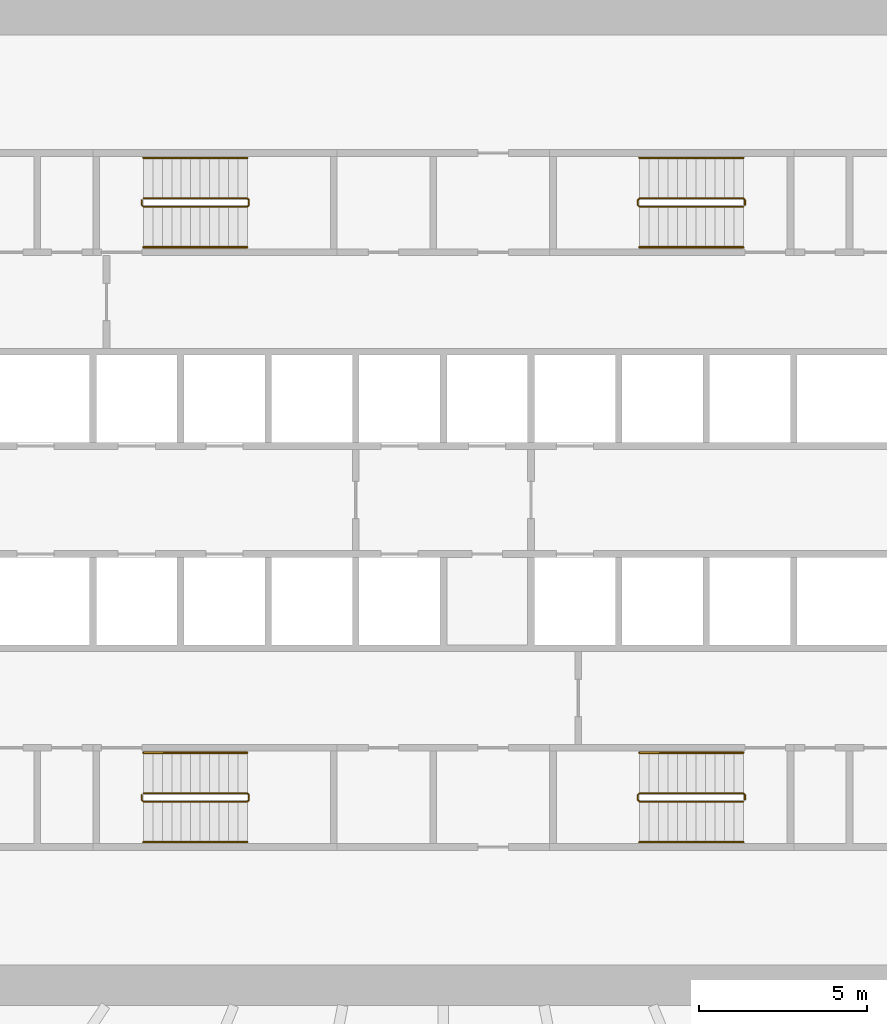
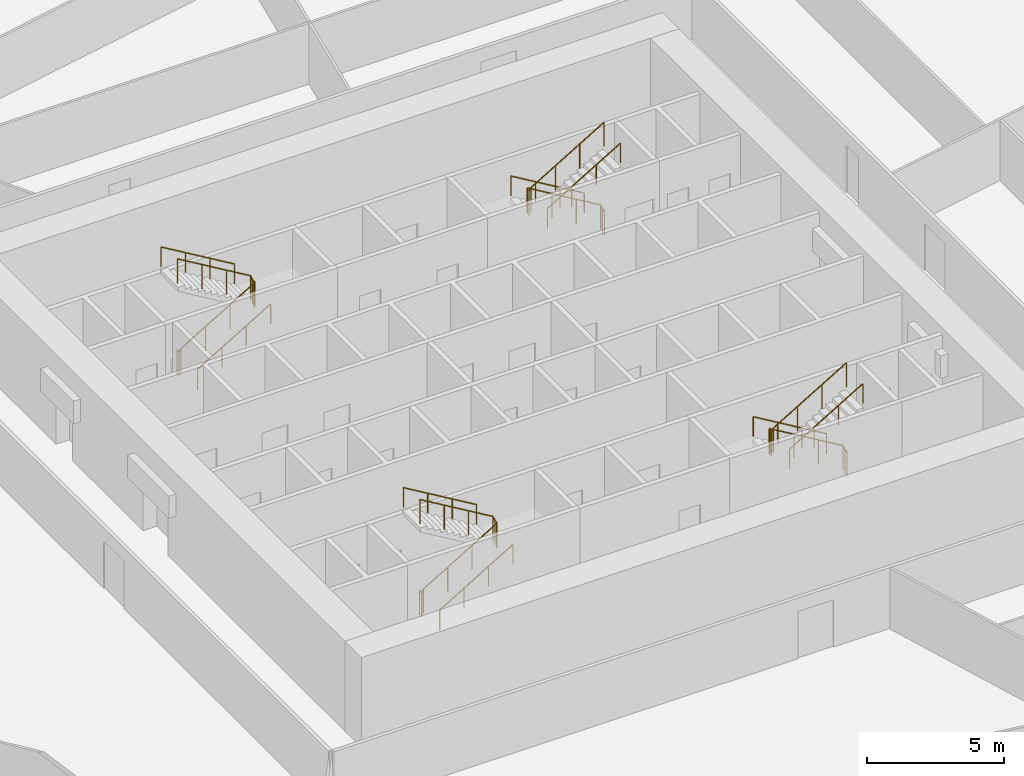
# One storey, part 15 of 15: 12 railings.
"""IFC4 building model written with IfcOpenShell, lengths in metres."""

from ifc_helpers import new_model, si_unit, direction, frame, origin, origin_2d, place, context, subcontext, project, spatial, circle, extrude, material, type_object, element, save


model = new_model("IFC4")

# Units and contexts
model_context = context("Model", 3, precision=1e-05, world=origin(), true_north=direction((0.0, 1.0)))
body_context = subcontext(model_context, "Body", "Model", "MODEL_VIEW")
ifc_project = project(units=[si_unit("LENGTHUNIT", "METRE"), si_unit("AREAUNIT", "SQUARE_METRE"), si_unit("VOLUMEUNIT", "CUBIC_METRE"), si_unit("PLANEANGLEUNIT", "RADIAN"), si_unit("MASSUNIT", "GRAM", prefix="KILO")], contexts=[model_context])

# Site, building, storey
site_placement = place(None, origin())
site = spatial("IfcSite", under=ifc_project, at=site_placement, CompositionType="ELEMENT")
building_placement = place(site_placement, origin())
building = spatial("IfcBuilding", under=site, at=building_placement, Name="Corvane Civic Tower", CompositionType="ELEMENT")
storey_placement = place(building_placement, frame((0.0, 0.0, 69.0)))
storey = spatial("IfcBuildingStorey", under=building, at=storey_placement, Name="L15", CompositionType="ELEMENT", Elevation=69.0)

# Railings
ifc_material_1 = material(Name="Steel ASTM A572 Gr 50", Category="steel")
railing_type_1 = type_object("IfcRailingType", Name="ST-GUARD-1100", PredefinedType="GUARDRAIL", material=ifc_material_1)
railing_1_placement = place(storey_placement, frame((8.949951171875, 8.75, 0.0)))
element("IfcRailing", 1, at=railing_1_placement, inside=storey, type_object=railing_type_1, Name="L15 ST1 stair guard 1", PredefinedType="GUARDRAIL", context=body_context, shape_type="SweptSolid", body=[
    extrude(circle(Radius=0.02392578125, at=origin_2d()), frame((0.0, 0.0, 1.076171875), z_axis=(0.0, 1.0, 0.0), x_axis=(-1.0, 0.0, 0.0)), (0.0, 0.0, 1.0), 0.14990234375),
    extrude(circle(Radius=0.02392578125, at=origin_2d()), frame((0.0, 0.14990234375, 1.076171875), z_axis=(-0.27628659633, 0.27628659633, 0.920506074601), x_axis=(-0.707106781187, -0.707106781187, 0.0)), (0.0, 0.0, 1.0), 0.18115234375),
    extrude(circle(Radius=0.02392578125, at=origin_2d()), frame((-0.050048828125, 0.199951171875, 1.24267578125), z_axis=(-0.859290745958, 0.0, 0.51148745235), x_axis=(0.0, -1.0, 0.0)), (0.0, 0.0, 1.0), 3.584228515625),
    extrude(circle(Radius=0.02392578125, at=origin_2d()), frame((-3.1298828125, 0.199951171875, 3.076171875), z_axis=(-0.707106781187, -0.707106781187, 0.0), x_axis=(0.707106781187, -0.707106781187, 0.0)), (0.0, 0.0, 1.0), 0.07080078125),
    extrude(circle(Radius=0.02392578125, at=origin_2d()), frame((-3.179931640625, 0.14990234375, 3.076171875), z_axis=(0.0, -1.0, 0.0), x_axis=(1.0, 0.0, 0.0)), (0.0, 0.0, 1.0), 0.14990234375),
    extrude(circle(Radius=0.02392578125, at=origin_2d()), frame((-3.179931640625, 0.0, 3.076171875), z_axis=(0.27628659633, -0.27628659633, 0.920506074601), x_axis=(0.707106781187, 0.707106781187, 0.0)), (0.0, 0.0, 1.0), 0.18115234375),
    extrude(circle(Radius=0.02392578125, at=origin_2d()), frame((-3.1298828125, -0.050048828125, 3.24267578125), z_axis=(0.859290745958, 0.0, 0.51148745235), x_axis=(0.0, 1.0, 0.0)), (0.0, 0.0, 1.0), 3.584228515625),
    extrude(circle(Radius=0.02099609375, at=origin_2d()), origin(), (0.0, 0.0, 1.0), 1.052001953125),
    extrude(circle(Radius=0.02099609375, at=origin_2d()), frame((0.0, 0.14990234375, 0.0)), (0.0, 0.0, 1.0), 1.052001953125),
    extrude(circle(Radius=0.02099609375, at=origin_2d()), frame((-0.050048828125, 0.199951171875, 0.166748046875)), (0.0, 0.0, 1.0), 1.052001953125),
    extrude(circle(Radius=0.02099609375, at=origin_2d()), frame((-1.07666015625, 0.199951171875, 0.77783203125)), (0.0, 0.0, 1.0), 1.052001953125),
    extrude(circle(Radius=0.02099609375, at=origin_2d()), frame((-2.103271484375, 0.199951171875, 1.388916015625)), (0.0, 0.0, 1.0), 1.052001953125),
    extrude(circle(Radius=0.02099609375, at=origin_2d()), frame((-3.1298828125, 0.199951171875, 2.0)), (0.0, 0.0, 1.0), 1.052001953125),
    extrude(circle(Radius=0.02099609375, at=origin_2d()), frame((-3.179931640625, 0.14990234375, 2.0)), (0.0, 0.0, 1.0), 1.052001953125),
    extrude(circle(Radius=0.02099609375, at=origin_2d()), frame((-3.179931640625, 0.0, 2.0)), (0.0, 0.0, 1.0), 1.052001953125),
    extrude(circle(Radius=0.02099609375, at=origin_2d()), frame((-3.1298828125, -0.050048828125, 2.166748046875)), (0.0, 0.0, 1.0), 1.052001953125),
    extrude(circle(Radius=0.02099609375, at=origin_2d()), frame((-2.103271484375, -0.050048828125, 2.77783203125)), (0.0, 0.0, 1.0), 1.052001953125),
    extrude(circle(Radius=0.02099609375, at=origin_2d()), frame((-1.07666015625, -0.050048828125, 3.388916015625)), (0.0, 0.0, 1.0), 1.052001953125),
    extrude(circle(Radius=0.02099609375, at=origin_2d()), frame((-0.050048828125, -0.050048828125, 4.0)), (0.0, 0.0, 1.0), 1.052001953125),
])
railing_2_placement = place(storey_placement, frame((8.949951171875, -8.89990234375, 0.0)))
element("IfcRailing", 2, at=railing_2_placement, inside=storey, type_object=railing_type_1, Name="L15 ST2 stair guard 1", PredefinedType="GUARDRAIL", context=body_context, shape_type="SweptSolid", body=[
    extrude(circle(Radius=0.02392578125, at=origin_2d()), frame((0.0, 0.0, 1.076171875), z_axis=(0.0, 1.0, 0.0), x_axis=(-1.0, 0.0, 0.0)), (0.0, 0.0, 1.0), 0.14990234375),
    extrude(circle(Radius=0.02392578125, at=origin_2d()), frame((0.0, 0.14990234375, 1.076171875), z_axis=(-0.27628659633, 0.27628659633, 0.920506074601), x_axis=(-0.707106781187, -0.707106781187, 0.0)), (0.0, 0.0, 1.0), 0.18115234375),
    extrude(circle(Radius=0.02392578125, at=origin_2d()), frame((-0.050048828125, 0.199951171875, 1.24267578125), z_axis=(-0.859290745958, 0.0, 0.51148745235), x_axis=(0.0, -1.0, 0.0)), (0.0, 0.0, 1.0), 3.584228515625),
    extrude(circle(Radius=0.02392578125, at=origin_2d()), frame((-3.1298828125, 0.199951171875, 3.076171875), z_axis=(-0.707106781187, -0.707106781187, 0.0), x_axis=(0.707106781187, -0.707106781187, 0.0)), (0.0, 0.0, 1.0), 0.07080078125),
    extrude(circle(Radius=0.02392578125, at=origin_2d()), frame((-3.179931640625, 0.14990234375, 3.076171875), z_axis=(0.0, -1.0, 0.0), x_axis=(1.0, 0.0, 0.0)), (0.0, 0.0, 1.0), 0.14990234375),
    extrude(circle(Radius=0.02392578125, at=origin_2d()), frame((-3.179931640625, 0.0, 3.076171875), z_axis=(0.27628659633, -0.27628659633, 0.920506074601), x_axis=(0.707106781187, 0.707106781187, 0.0)), (0.0, 0.0, 1.0), 0.18115234375),
    extrude(circle(Radius=0.02392578125, at=origin_2d()), frame((-3.1298828125, -0.050048828125, 3.24267578125), z_axis=(0.859290745958, 0.0, 0.51148745235), x_axis=(0.0, 1.0, 0.0)), (0.0, 0.0, 1.0), 3.584228515625),
    extrude(circle(Radius=0.02099609375, at=origin_2d()), origin(), (0.0, 0.0, 1.0), 1.052001953125),
    extrude(circle(Radius=0.02099609375, at=origin_2d()), frame((0.0, 0.14990234375, 0.0)), (0.0, 0.0, 1.0), 1.052001953125),
    extrude(circle(Radius=0.02099609375, at=origin_2d()), frame((-0.050048828125, 0.199951171875, 0.166748046875)), (0.0, 0.0, 1.0), 1.052001953125),
    extrude(circle(Radius=0.02099609375, at=origin_2d()), frame((-1.07666015625, 0.199951171875, 0.77783203125)), (0.0, 0.0, 1.0), 1.052001953125),
    extrude(circle(Radius=0.02099609375, at=origin_2d()), frame((-2.103271484375, 0.199951171875, 1.388916015625)), (0.0, 0.0, 1.0), 1.052001953125),
    extrude(circle(Radius=0.02099609375, at=origin_2d()), frame((-3.1298828125, 0.199951171875, 2.0)), (0.0, 0.0, 1.0), 1.052001953125),
    extrude(circle(Radius=0.02099609375, at=origin_2d()), frame((-3.179931640625, 0.14990234375, 2.0)), (0.0, 0.0, 1.0), 1.052001953125),
    extrude(circle(Radius=0.02099609375, at=origin_2d()), frame((-3.179931640625, 0.0, 2.0)), (0.0, 0.0, 1.0), 1.052001953125),
    extrude(circle(Radius=0.02099609375, at=origin_2d()), frame((-3.1298828125, -0.050048828125, 2.166748046875)), (0.0, 0.0, 1.0), 1.052001953125),
    extrude(circle(Radius=0.02099609375, at=origin_2d()), frame((-2.103271484375, -0.050048828125, 2.77783203125)), (0.0, 0.0, 1.0), 1.052001953125),
    extrude(circle(Radius=0.02099609375, at=origin_2d()), frame((-1.07666015625, -0.050048828125, 3.388916015625)), (0.0, 0.0, 1.0), 1.052001953125),
    extrude(circle(Radius=0.02099609375, at=origin_2d()), frame((-0.050048828125, -0.050048828125, 4.0)), (0.0, 0.0, 1.0), 1.052001953125),
])
railing_3_placement = place(storey_placement, frame((-8.949951171875, -8.75, 0.0)))
element("IfcRailing", 3, at=railing_3_placement, inside=storey, type_object=railing_type_1, Name="L15 ST3 stair guard 1", PredefinedType="GUARDRAIL", context=body_context, shape_type="SweptSolid", body=[
    extrude(circle(Radius=0.02392578125, at=origin_2d()), frame((0.0, 0.0, 1.076171875), z_axis=(0.0, -1.0, 0.0), x_axis=(1.0, 0.0, 0.0)), (0.0, 0.0, 1.0), 0.14990234375),
    extrude(circle(Radius=0.02392578125, at=origin_2d()), frame((0.0, -0.14990234375, 1.076171875), z_axis=(0.27628659633, -0.27628659633, 0.920506074601), x_axis=(0.707106781187, 0.707106781187, 0.0)), (0.0, 0.0, 1.0), 0.18115234375),
    extrude(circle(Radius=0.02392578125, at=origin_2d()), frame((0.050048828125, -0.199951171875, 1.24267578125), z_axis=(0.859290745958, 0.0, 0.51148745235), x_axis=(0.0, 1.0, 0.0)), (0.0, 0.0, 1.0), 3.584228515625),
    extrude(circle(Radius=0.02392578125, at=origin_2d()), frame((3.1298828125, -0.199951171875, 3.076171875), z_axis=(0.707106781187, 0.707106781187, 0.0), x_axis=(-0.707106781187, 0.707106781187, 0.0)), (0.0, 0.0, 1.0), 0.07080078125),
    extrude(circle(Radius=0.02392578125, at=origin_2d()), frame((3.179931640625, -0.14990234375, 3.076171875), z_axis=(0.0, 1.0, 0.0), x_axis=(-1.0, 0.0, 0.0)), (0.0, 0.0, 1.0), 0.14990234375),
    extrude(circle(Radius=0.02392578125, at=origin_2d()), frame((3.179931640625, 0.0, 3.076171875), z_axis=(-0.27628659633, 0.27628659633, 0.920506074601), x_axis=(-0.707106781187, -0.707106781187, 0.0)), (0.0, 0.0, 1.0), 0.18115234375),
    extrude(circle(Radius=0.02392578125, at=origin_2d()), frame((3.1298828125, 0.050048828125, 3.24267578125), z_axis=(-0.859290745958, 0.0, 0.51148745235), x_axis=(0.0, -1.0, 0.0)), (0.0, 0.0, 1.0), 3.584228515625),
    extrude(circle(Radius=0.02099609375, at=origin_2d()), origin(), (0.0, 0.0, 1.0), 1.052001953125),
    extrude(circle(Radius=0.02099609375, at=origin_2d()), frame((0.0, -0.14990234375, 0.0)), (0.0, 0.0, 1.0), 1.052001953125),
    extrude(circle(Radius=0.02099609375, at=origin_2d()), frame((0.050048828125, -0.199951171875, 0.166748046875)), (0.0, 0.0, 1.0), 1.052001953125),
    extrude(circle(Radius=0.02099609375, at=origin_2d()), frame((1.07666015625, -0.199951171875, 0.77783203125)), (0.0, 0.0, 1.0), 1.052001953125),
    extrude(circle(Radius=0.02099609375, at=origin_2d()), frame((2.103271484375, -0.199951171875, 1.388916015625)), (0.0, 0.0, 1.0), 1.052001953125),
    extrude(circle(Radius=0.02099609375, at=origin_2d()), frame((3.1298828125, -0.199951171875, 2.0)), (0.0, 0.0, 1.0), 1.052001953125),
    extrude(circle(Radius=0.02099609375, at=origin_2d()), frame((3.179931640625, -0.14990234375, 2.0)), (0.0, 0.0, 1.0), 1.052001953125),
    extrude(circle(Radius=0.02099609375, at=origin_2d()), frame((3.179931640625, 0.0, 2.0)), (0.0, 0.0, 1.0), 1.052001953125),
    extrude(circle(Radius=0.02099609375, at=origin_2d()), frame((3.1298828125, 0.050048828125, 2.166748046875)), (0.0, 0.0, 1.0), 1.052001953125),
    extrude(circle(Radius=0.02099609375, at=origin_2d()), frame((2.103271484375, 0.050048828125, 2.77783203125)), (0.0, 0.0, 1.0), 1.052001953125),
    extrude(circle(Radius=0.02099609375, at=origin_2d()), frame((1.07666015625, 0.050048828125, 3.388916015625)), (0.0, 0.0, 1.0), 1.052001953125),
    extrude(circle(Radius=0.02099609375, at=origin_2d()), frame((0.050048828125, 0.050048828125, 4.0)), (0.0, 0.0, 1.0), 1.052001953125),
])
railing_4_placement = place(storey_placement, frame((-8.949951171875, 8.89990234375, 0.0)))
element("IfcRailing", 4, at=railing_4_placement, inside=storey, type_object=railing_type_1, Name="L15 ST4 stair guard 1", PredefinedType="GUARDRAIL", context=body_context, shape_type="SweptSolid", body=[
    extrude(circle(Radius=0.02392578125, at=origin_2d()), frame((0.0, 0.0, 1.076171875), z_axis=(0.0, -1.0, 0.0), x_axis=(1.0, 0.0, 0.0)), (0.0, 0.0, 1.0), 0.14990234375),
    extrude(circle(Radius=0.02392578125, at=origin_2d()), frame((0.0, -0.14990234375, 1.076171875), z_axis=(0.27628659633, -0.27628659633, 0.920506074601), x_axis=(0.707106781187, 0.707106781187, 0.0)), (0.0, 0.0, 1.0), 0.18115234375),
    extrude(circle(Radius=0.02392578125, at=origin_2d()), frame((0.050048828125, -0.199951171875, 1.24267578125), z_axis=(0.859290745958, 0.0, 0.51148745235), x_axis=(0.0, 1.0, 0.0)), (0.0, 0.0, 1.0), 3.584228515625),
    extrude(circle(Radius=0.02392578125, at=origin_2d()), frame((3.1298828125, -0.199951171875, 3.076171875), z_axis=(0.707106781187, 0.707106781187, 0.0), x_axis=(-0.707106781187, 0.707106781187, 0.0)), (0.0, 0.0, 1.0), 0.07080078125),
    extrude(circle(Radius=0.02392578125, at=origin_2d()), frame((3.179931640625, -0.14990234375, 3.076171875), z_axis=(0.0, 1.0, 0.0), x_axis=(-1.0, 0.0, 0.0)), (0.0, 0.0, 1.0), 0.14990234375),
    extrude(circle(Radius=0.02392578125, at=origin_2d()), frame((3.179931640625, 0.0, 3.076171875), z_axis=(-0.27628659633, 0.27628659633, 0.920506074601), x_axis=(-0.707106781187, -0.707106781187, 0.0)), (0.0, 0.0, 1.0), 0.18115234375),
    extrude(circle(Radius=0.02392578125, at=origin_2d()), frame((3.1298828125, 0.050048828125, 3.24267578125), z_axis=(-0.859290745958, 0.0, 0.51148745235), x_axis=(0.0, -1.0, 0.0)), (0.0, 0.0, 1.0), 3.584228515625),
    extrude(circle(Radius=0.02099609375, at=origin_2d()), origin(), (0.0, 0.0, 1.0), 1.052001953125),
    extrude(circle(Radius=0.02099609375, at=origin_2d()), frame((0.0, -0.14990234375, 0.0)), (0.0, 0.0, 1.0), 1.052001953125),
    extrude(circle(Radius=0.02099609375, at=origin_2d()), frame((0.050048828125, -0.199951171875, 0.166748046875)), (0.0, 0.0, 1.0), 1.052001953125),
    extrude(circle(Radius=0.02099609375, at=origin_2d()), frame((1.07666015625, -0.199951171875, 0.77783203125)), (0.0, 0.0, 1.0), 1.052001953125),
    extrude(circle(Radius=0.02099609375, at=origin_2d()), frame((2.103271484375, -0.199951171875, 1.388916015625)), (0.0, 0.0, 1.0), 1.052001953125),
    extrude(circle(Radius=0.02099609375, at=origin_2d()), frame((3.1298828125, -0.199951171875, 2.0)), (0.0, 0.0, 1.0), 1.052001953125),
    extrude(circle(Radius=0.02099609375, at=origin_2d()), frame((3.179931640625, -0.14990234375, 2.0)), (0.0, 0.0, 1.0), 1.052001953125),
    extrude(circle(Radius=0.02099609375, at=origin_2d()), frame((3.179931640625, 0.0, 2.0)), (0.0, 0.0, 1.0), 1.052001953125),
    extrude(circle(Radius=0.02099609375, at=origin_2d()), frame((3.1298828125, 0.050048828125, 2.166748046875)), (0.0, 0.0, 1.0), 1.052001953125),
    extrude(circle(Radius=0.02099609375, at=origin_2d()), frame((2.103271484375, 0.050048828125, 2.77783203125)), (0.0, 0.0, 1.0), 1.052001953125),
    extrude(circle(Radius=0.02099609375, at=origin_2d()), frame((1.07666015625, 0.050048828125, 3.388916015625)), (0.0, 0.0, 1.0), 1.052001953125),
    extrude(circle(Radius=0.02099609375, at=origin_2d()), frame((0.050048828125, 0.050048828125, 4.0)), (0.0, 0.0, 1.0), 1.052001953125),
])
ifc_material_2 = material(Name="Steel ASTM A572 Gr 50", Category="steel")
railing_type_2 = type_object("IfcRailingType", Name="ST-HANDRAIL-900", PredefinedType="HANDRAIL", material=ifc_material_2)
railing_5_placement = place(storey_placement, frame((8.89990234375, 10.14990234375, 0.166748046875)))
element("IfcRailing", 5, at=railing_5_placement, inside=storey, type_object=railing_type_2, Name="L15 ST1 stair handrail 1", PredefinedType="HANDRAIL", context=body_context, shape_type="SweptSolid", body=[
    extrude(circle(Radius=0.02392578125, at=origin_2d()), frame((0.0, 0.0, 0.8759765625), z_axis=(-0.859290745958, 0.0, 0.51148745235), x_axis=(0.0, -1.0, 0.0)), (0.0, 0.0, 1.0), 3.584228515625),
    extrude(circle(Radius=0.02099609375, at=origin_2d()), origin(), (0.0, 0.0, 1.0), 0.851806640625),
    extrude(circle(Radius=0.02099609375, at=origin_2d()), frame((-1.026611328125, 0.0, 0.611083984375)), (0.0, 0.0, 1.0), 0.851806640625),
    extrude(circle(Radius=0.02099609375, at=origin_2d()), frame((-2.05322265625, 0.0, 1.22216796875)), (0.0, 0.0, 1.0), 0.851806640625),
    extrude(circle(Radius=0.02099609375, at=origin_2d()), frame((-3.079833984375, 0.0, 1.833251953125)), (0.0, 0.0, 1.0), 0.851806640625),
])
railing_6_placement = place(storey_placement, frame((5.820068359375, 7.5, 2.166748046875)))
element("IfcRailing", 6, at=railing_6_placement, inside=storey, type_object=railing_type_2, Name="L15 ST1 stair handrail 2", PredefinedType="HANDRAIL", context=body_context, shape_type="SweptSolid", body=[
    extrude(circle(Radius=0.02392578125, at=origin_2d()), frame((0.0, 0.0, 0.8759765625), z_axis=(0.859290745958, 0.0, 0.51148745235), x_axis=(0.0, 1.0, 0.0)), (0.0, 0.0, 1.0), 3.584228515625),
    extrude(circle(Radius=0.02099609375, at=origin_2d()), origin(), (0.0, 0.0, 1.0), 0.851806640625),
    extrude(circle(Radius=0.02099609375, at=origin_2d()), frame((1.026611328125, 0.0, 0.611083984375)), (0.0, 0.0, 1.0), 0.851806640625),
    extrude(circle(Radius=0.02099609375, at=origin_2d()), frame((2.05322265625, 0.0, 1.22216796875)), (0.0, 0.0, 1.0), 0.851806640625),
    extrude(circle(Radius=0.02099609375, at=origin_2d()), frame((3.079833984375, 0.0, 1.833251953125)), (0.0, 0.0, 1.0), 0.851806640625),
])
railing_7_placement = place(storey_placement, frame((8.89990234375, -7.5, 0.166748046875)))
element("IfcRailing", 7, at=railing_7_placement, inside=storey, type_object=railing_type_2, Name="L15 ST2 stair handrail 1", PredefinedType="HANDRAIL", context=body_context, shape_type="SweptSolid", body=[
    extrude(circle(Radius=0.02392578125, at=origin_2d()), frame((0.0, 0.0, 0.8759765625), z_axis=(-0.859290745958, 0.0, 0.51148745235), x_axis=(0.0, -1.0, 0.0)), (0.0, 0.0, 1.0), 3.584228515625),
    extrude(circle(Radius=0.02099609375, at=origin_2d()), origin(), (0.0, 0.0, 1.0), 0.851806640625),
    extrude(circle(Radius=0.02099609375, at=origin_2d()), frame((-1.026611328125, 0.0, 0.611083984375)), (0.0, 0.0, 1.0), 0.851806640625),
    extrude(circle(Radius=0.02099609375, at=origin_2d()), frame((-2.05322265625, 0.0, 1.22216796875)), (0.0, 0.0, 1.0), 0.851806640625),
    extrude(circle(Radius=0.02099609375, at=origin_2d()), frame((-3.079833984375, 0.0, 1.833251953125)), (0.0, 0.0, 1.0), 0.851806640625),
])
for number, where, name in (
    (8, (5.820068359375, -10.14990234375, 2.166748046875), "L15 ST2 stair handrail 2"),
    (9, (-8.89990234375, -10.14990234375, 0.166748046875), "L15 ST3 stair handrail 1"),
):
    element("IfcRailing", number, at=place(storey_placement, frame(where)), inside=storey, type_object=railing_type_2, Name=name, PredefinedType="HANDRAIL", context=body_context, shape_type="SweptSolid", body=[
        extrude(circle(Radius=0.02392578125, at=origin_2d()), frame((0.0, 0.0, 0.8759765625), z_axis=(0.859290745958, 0.0, 0.51148745235), x_axis=(0.0, 1.0, 0.0)), (0.0, 0.0, 1.0), 3.584228515625),
        extrude(circle(Radius=0.02099609375, at=origin_2d()), origin(), (0.0, 0.0, 1.0), 0.851806640625),
        extrude(circle(Radius=0.02099609375, at=origin_2d()), frame((1.026611328125, 0.0, 0.611083984375)), (0.0, 0.0, 1.0), 0.851806640625),
        extrude(circle(Radius=0.02099609375, at=origin_2d()), frame((2.05322265625, 0.0, 1.22216796875)), (0.0, 0.0, 1.0), 0.851806640625),
        extrude(circle(Radius=0.02099609375, at=origin_2d()), frame((3.079833984375, 0.0, 1.833251953125)), (0.0, 0.0, 1.0), 0.851806640625),
    ])
railing_8_placement = place(storey_placement, frame((-5.820068359375, -7.5, 2.166748046875)))
element("IfcRailing", 10, at=railing_8_placement, inside=storey, type_object=railing_type_2, Name="L15 ST3 stair handrail 2", PredefinedType="HANDRAIL", context=body_context, shape_type="SweptSolid", body=[
    extrude(circle(Radius=0.02392578125, at=origin_2d()), frame((0.0, 0.0, 0.8759765625), z_axis=(-0.859290745958, 0.0, 0.51148745235), x_axis=(0.0, -1.0, 0.0)), (0.0, 0.0, 1.0), 3.584228515625),
    extrude(circle(Radius=0.02099609375, at=origin_2d()), origin(), (0.0, 0.0, 1.0), 0.851806640625),
    extrude(circle(Radius=0.02099609375, at=origin_2d()), frame((-1.026611328125, 0.0, 0.611083984375)), (0.0, 0.0, 1.0), 0.851806640625),
    extrude(circle(Radius=0.02099609375, at=origin_2d()), frame((-2.05322265625, 0.0, 1.22216796875)), (0.0, 0.0, 1.0), 0.851806640625),
    extrude(circle(Radius=0.02099609375, at=origin_2d()), frame((-3.079833984375, 0.0, 1.833251953125)), (0.0, 0.0, 1.0), 0.851806640625),
])
railing_9_placement = place(storey_placement, frame((-8.89990234375, 7.5, 0.166748046875)))
element("IfcRailing", 11, at=railing_9_placement, inside=storey, type_object=railing_type_2, Name="L15 ST4 stair handrail 1", PredefinedType="HANDRAIL", context=body_context, shape_type="SweptSolid", body=[
    extrude(circle(Radius=0.02392578125, at=origin_2d()), frame((0.0, 0.0, 0.8759765625), z_axis=(0.859290745958, 0.0, 0.51148745235), x_axis=(0.0, 1.0, 0.0)), (0.0, 0.0, 1.0), 3.584228515625),
    extrude(circle(Radius=0.02099609375, at=origin_2d()), origin(), (0.0, 0.0, 1.0), 0.851806640625),
    extrude(circle(Radius=0.02099609375, at=origin_2d()), frame((1.026611328125, 0.0, 0.611083984375)), (0.0, 0.0, 1.0), 0.851806640625),
    extrude(circle(Radius=0.02099609375, at=origin_2d()), frame((2.05322265625, 0.0, 1.22216796875)), (0.0, 0.0, 1.0), 0.851806640625),
    extrude(circle(Radius=0.02099609375, at=origin_2d()), frame((3.079833984375, 0.0, 1.833251953125)), (0.0, 0.0, 1.0), 0.851806640625),
])
railing_10_placement = place(storey_placement, frame((-5.820068359375, 10.14990234375, 2.166748046875)))
element("IfcRailing", 12, at=railing_10_placement, inside=storey, type_object=railing_type_2, Name="L15 ST4 stair handrail 2", PredefinedType="HANDRAIL", context=body_context, shape_type="SweptSolid", body=[
    extrude(circle(Radius=0.02392578125, at=origin_2d()), frame((0.0, 0.0, 0.8759765625), z_axis=(-0.859290745958, 0.0, 0.51148745235), x_axis=(0.0, -1.0, 0.0)), (0.0, 0.0, 1.0), 3.584228515625),
    extrude(circle(Radius=0.02099609375, at=origin_2d()), origin(), (0.0, 0.0, 1.0), 0.851806640625),
    extrude(circle(Radius=0.02099609375, at=origin_2d()), frame((-1.026611328125, 0.0, 0.611083984375)), (0.0, 0.0, 1.0), 0.851806640625),
    extrude(circle(Radius=0.02099609375, at=origin_2d()), frame((-2.05322265625, 0.0, 1.22216796875)), (0.0, 0.0, 1.0), 0.851806640625),
    extrude(circle(Radius=0.02099609375, at=origin_2d()), frame((-3.079833984375, 0.0, 1.833251953125)), (0.0, 0.0, 1.0), 0.851806640625),
])

save(model, "model.ifc")
